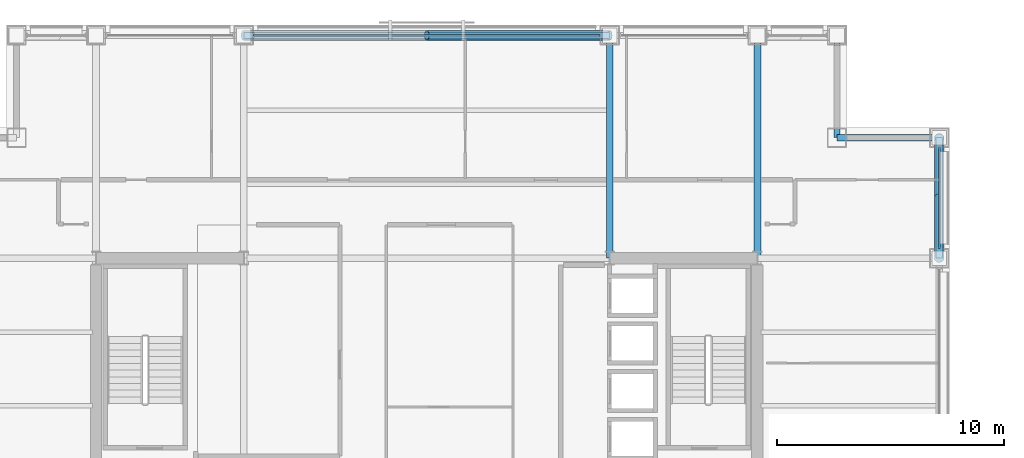
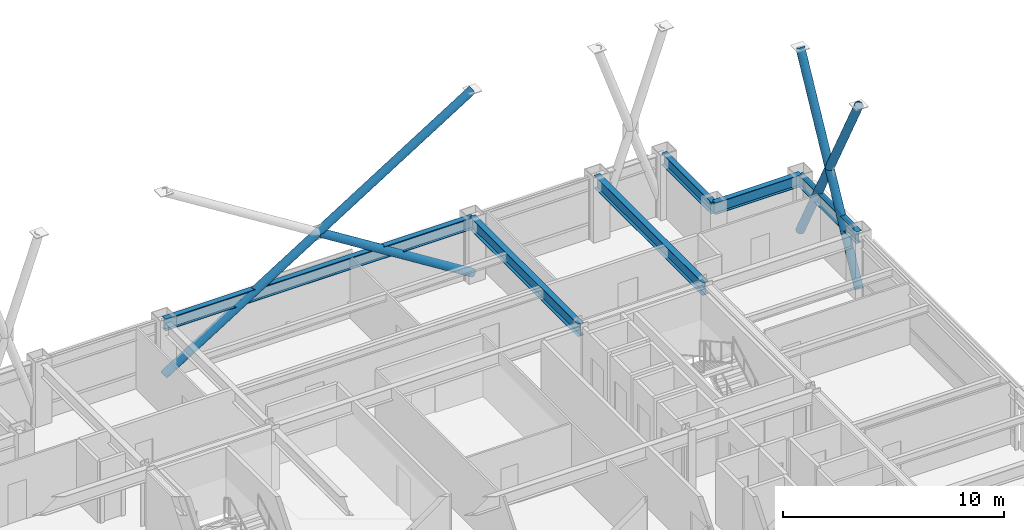
# One storey, part 21 of 32: 7 members, 6 beams, 2 elements without a shape of their own.
"""IFC4 building model written with IfcOpenShell, lengths in metres."""

from ifc_helpers import new_model, si_unit, direction, frame, origin, origin_2d, place, context, subcontext, project, spatial, hollow_rectangle, hollow_circle, i_section, extrude, material, layer, layer_set, material_profile, profile_set, type_object, element, aggregate, save


model = new_model("IFC4")

# Units and contexts
model_context = context("Model", 3, precision=1e-05, world=origin(), true_north=direction((0.0, 1.0)))
body_context = subcontext(model_context, "Body", "Model", "MODEL_VIEW")
ifc_project = project(units=[si_unit("LENGTHUNIT", "METRE"), si_unit("AREAUNIT", "SQUARE_METRE"), si_unit("VOLUMEUNIT", "CUBIC_METRE"), si_unit("PLANEANGLEUNIT", "RADIAN"), si_unit("MASSUNIT", "GRAM", prefix="KILO")], contexts=[model_context])

# Site, building, storey
site_placement = place(None, origin())
site = spatial("IfcSite", under=ifc_project, at=site_placement, CompositionType="ELEMENT")
building_placement = place(site_placement, origin())
building = spatial("IfcBuilding", under=site, at=building_placement, Name="Brelmoor Portico Tower", CompositionType="ELEMENT")
storey_placement = place(building_placement, frame((0.0, 0.0, 109.800048828125)))
storey = spatial("IfcBuildingStorey", under=building, at=storey_placement, Name="L28", CompositionType="ELEMENT", Elevation=109.800048828125)

# Beams
ifc_material_1 = material(Name="Steel Q355B", Category="steel")
ifc_material_profile_1 = material_profile(ifc_material_1, i_section(OverallWidth=0.300048828125, OverallDepth=0.699951171875, WebThickness=0.012939453125, FlangeThickness=0.02392578125, at=origin_2d()), Name="HN 700x300x13x24")
ifc_profile_set_1 = profile_set([ifc_material_profile_1], Name="Steel Q355B")
beam_type_1 = type_object("IfcBeamType", Name="BM-PG-700", PredefinedType="BEAM", material=ifc_profile_set_1)
for number, where, z_axis, x_axis, name in (
    (1, (8.050048828125, 9.75, 3.050048828125), (0.0, 1.0, 0.0), (-1.0, 0.0, 0.0), "L28 Primary Floor Girder PG-09"),
    (2, (14.550048828125, 9.75, 3.050048828125), (0.0, 1.0, 0.0), (-1.0, 0.0, 0.0), "L28 Primary Floor Girder PG-13"),
):
    element("IfcBeam", number, at=place(storey_placement, frame(where, z_axis=z_axis, x_axis=x_axis)), inside=storey, type_object=beam_type_1, Name=name, PredefinedType="BEAM", context=body_context, shape_type="SweptSolid", body=[
        extrude(i_section(OverallWidth=0.300048828125, OverallDepth=0.699951171875, WebThickness=0.012939453125, FlangeThickness=0.02392578125, at=origin_2d()), origin(), (0.0, 0.0, 1.0), 9.800048828125),
    ])
ifc_material_profile_2 = material_profile(ifc_material_1, i_section(OverallWidth=0.280029296875, OverallDepth=0.64990234375, WebThickness=0.012939453125, FlangeThickness=0.02197265625, at=origin_2d()), Name="HN 650x280x13x22")
ifc_profile_set_2 = profile_set([ifc_material_profile_2], Name="Steel Q355B")
beam_type_2 = type_object("IfcBeamType", Name="BM-SP-650", PredefinedType="SPANDREL", material=ifc_profile_set_2)
beam_1_placement = place(storey_placement, frame((18.050048828125, 15.050048828125, 3.074951171875), z_axis=(1.0, 0.0, 0.0), x_axis=(0.0, 1.0, 0.0)))
element("IfcBeam", 3, at=beam_1_placement, inside=storey, type_object=beam_type_2, Name="L28 Perimeter Spandrel Beam SP-09", PredefinedType="SPANDREL", context=body_context, shape_type="SweptSolid", body=[
    extrude(i_section(OverallWidth=0.280029296875, OverallDepth=0.64990234375, WebThickness=0.012939453125, FlangeThickness=0.02197265625, at=origin_2d()), origin(), (0.0, 0.0, 1.0), 4.5),
])
beam_2_placement = place(storey_placement, frame((-8.050048828125, 19.550048828125, 3.074951171875), z_axis=(1.0, 0.0, 0.0), x_axis=(0.0, 1.0, 0.0)))
element("IfcBeam", 4, at=beam_2_placement, inside=storey, type_object=beam_type_2, Name="L28 Perimeter Spandrel Beam SP-12", PredefinedType="SPANDREL", context=body_context, shape_type="SweptSolid", body=[
    extrude(i_section(OverallWidth=0.280029296875, OverallDepth=0.64990234375, WebThickness=0.012939453125, FlangeThickness=0.02197265625, at=origin_2d()), origin(), (0.0, 0.0, 1.0), 16.10009765625),
])
beam_3_placement = place(storey_placement, frame((18.050048828125, 15.050048828125, 3.074951171875), z_axis=(0.0, 1.0, 0.0), x_axis=(-1.0, 0.0, 0.0)))
element("IfcBeam", 5, at=beam_3_placement, inside=storey, type_object=beam_type_2, Name="L28 Perimeter Spandrel Beam SP-21", PredefinedType="SPANDREL", context=body_context, shape_type="SweptSolid", body=[
    extrude(i_section(OverallWidth=0.280029296875, OverallDepth=0.64990234375, WebThickness=0.012939453125, FlangeThickness=0.02197265625, at=origin_2d()), origin(), (0.0, 0.0, 1.0), 4.5),
])
beam_4_placement = place(storey_placement, frame((22.550048828125, 9.75, 3.074951171875), z_axis=(0.0, 1.0, 0.0), x_axis=(-1.0, 0.0, 0.0)))
element("IfcBeam", 6, at=beam_4_placement, inside=storey, type_object=beam_type_2, Name="L28 Perimeter Spandrel Beam SP-24", PredefinedType="SPANDREL", context=body_context, shape_type="SweptSolid", body=[
    extrude(i_section(OverallWidth=0.280029296875, OverallDepth=0.64990234375, WebThickness=0.012939453125, FlangeThickness=0.02197265625, at=origin_2d()), origin(), (0.0, 0.0, 1.0), 5.300048828125),
])

# Members
ifc_material_profile_3 = material_profile(ifc_material_1, hollow_circle(Radius=0.212890625, WallThickness=0.02001953125, at=origin_2d()), Name="CHS 426x20")
ifc_profile_set_3 = profile_set([ifc_material_profile_3], Name="Steel Q355B")
member_type_1 = type_object("IfcMemberType", Name="MB-BELT-DIAG1", PredefinedType="BRACE", material=ifc_profile_set_3)
member_1_placement = place(storey_placement, frame((-8.050048828125, 19.550048828125, 0.25), z_axis=(0.847115258736, 0.0, 0.531409200538), x_axis=(0.0, 1.0, 0.0)))
element("IfcMember", 7, at=member_1_placement, inside=storey, type_object=member_type_1, Name="L28 Continuous Mega-X Brace 059A", PredefinedType="BRACE", context=body_context, shape_type="SweptSolid", body=[
    extrude(hollow_circle(Radius=0.212890625, WallThickness=0.02001953125, at=origin_2d()), origin(), (0.0, 0.0, 1.0), 19.005859375),
])
member_2_placement = place(storey_placement, frame((8.050048828125, 19.550048828125, 0.25), z_axis=(-0.847109476093, 0.0, 0.531418418493), x_axis=(0.0, -1.0, 0.0)))
element("IfcMember", 8, at=member_2_placement, inside=storey, type_object=member_type_1, Name="L28 Split Mega-X Brace 059B1", PredefinedType="BRACE", context=body_context, shape_type="SweptSolid", body=[
    extrude(hollow_circle(Radius=0.212890625, WallThickness=0.02001953125, at=origin_2d()), origin(), (0.0, 0.0, 1.0), 9.5029296875),
])
member_3_placement = place(storey_placement, frame((22.550048828125, 9.75, 0.25), z_axis=(0.0, 0.464670709165, 0.885483558314), x_axis=(-1.0, 0.0, 0.0)))
element("IfcMember", 9, at=member_3_placement, inside=storey, type_object=member_type_1, Name="L28 Continuous Mega-X Brace 063A", PredefinedType="BRACE", context=body_context, shape_type="SweptSolid", body=[
    extrude(hollow_circle(Radius=0.212890625, WallThickness=0.02001953125, at=origin_2d()), origin(), (0.0, 0.0, 1.0), 11.406005859375),
])
member_4_placement = place(storey_placement, frame((22.550048828125, 15.050048828125, 0.25), z_axis=(0.0, -0.464678684729, 0.885479372972), x_axis=(1.0, 0.0, 0.0)))
element("IfcMember", 10, at=member_4_placement, inside=storey, type_object=member_type_1, Name="L28 Split Mega-X Brace 063B1", PredefinedType="BRACE", context=body_context, shape_type="SweptSolid", body=[
    extrude(hollow_circle(Radius=0.212890625, WallThickness=0.02001953125, at=origin_2d()), origin(), (0.0, 0.0, 1.0), 5.703125),
])
member_5_placement = place(storey_placement, frame((22.550048828125, 12.39990234375, 5.300048828125), z_axis=(0.0, -0.464662733102, 0.885487743826), x_axis=(1.0, 0.0, 0.0)))
element("IfcMember", 11, at=member_5_placement, inside=storey, type_object=member_type_1, Name="L28 Split Mega-X Brace 063B2", PredefinedType="BRACE", context=body_context, shape_type="SweptSolid", body=[
    extrude(hollow_circle(Radius=0.212890625, WallThickness=0.02001953125, at=origin_2d()), origin(), (0.0, 0.0, 1.0), 5.702880859375),
])

# Curtain wall, member
ifc_material_2 = material(Name="Anodised Aluminium Alloy 6063-T6", Category="aluminium")
ifc_layer = layer(ifc_material_2, 0.179931640625)
ifc_layer_set = layer_set([ifc_layer], Name="Anodised Aluminium Alloy 6063-T6")
curtain_wall_type = type_object("IfcCurtainWallType", Name="CW-TOWER-Z2-XB", PredefinedType="NOTDEFINED", material=ifc_layer_set)
curtain_wall_1_placement = place(storey_placement, origin())
curtain_wall_1 = element("IfcCurtainWall", 12, at=curtain_wall_1_placement, inside=storey, type_object=curtain_wall_type, Name="L28 Curtain Wall CW-L28-02-3", PredefinedType="NOTDEFINED")
ifc_material_profile_4 = material_profile(ifc_material_2, hollow_rectangle(XDim=0.06494140625, YDim=0.139892578125, WallThickness=0.00390625, at=origin_2d()), Name="ALU TRANSOM 65x140")
ifc_profile_set_4 = profile_set([ifc_material_profile_4], Name="Anodised Aluminium Alloy 6063-T6")
member_type_2 = type_object("IfcMemberType", Name="MB-CW-TRAN-140", PredefinedType="USERDEFINED", material=ifc_profile_set_4)
member_6_placement = place(storey_placement, frame((-7.614990234375, 19.550048828125, 3.329833984375), z_axis=(1.0, 0.0, 0.0), x_axis=(0.0, 1.0, 0.0)))
member_6 = element("IfcMember", 13, at=member_6_placement, type_object=member_type_2, Name="CW-L28-02-3 Transom 1-00", ObjectType="TRANSOM", PredefinedType="USERDEFINED", context=body_context, shape_type="SweptSolid", body=[
    extrude(hollow_rectangle(XDim=0.06494140625, YDim=0.139892578125, WallThickness=0.00390625, at=origin_2d()), origin(), (0.0, 0.0, 1.0), 15.22998046875),
])
aggregate(curtain_wall_1, [member_6])

curtain_wall_2_placement = place(storey_placement, origin())
curtain_wall_2 = element("IfcCurtainWall", 14, at=curtain_wall_2_placement, inside=storey, type_object=curtain_wall_type, Name="L28 Curtain Wall CW-L28-4R-2", PredefinedType="NOTDEFINED")
member_7_placement = place(storey_placement, frame((22.550048828125, 10.18505859375, 3.329833984375), z_axis=(0.0, 1.0, 0.0), x_axis=(-1.0, 0.0, 0.0)))
member_7 = element("IfcMember", 15, at=member_7_placement, type_object=member_type_2, Name="CW-L28-4R-2 Transom 1-00", ObjectType="TRANSOM", PredefinedType="USERDEFINED", context=body_context, shape_type="SweptSolid", body=[
    extrude(hollow_rectangle(XDim=0.06494140625, YDim=0.139892578125, WallThickness=0.00390625, at=origin_2d()), origin(), (0.0, 0.0, 1.0), 4.429931640625),
])
aggregate(curtain_wall_2, [member_7])

save(model, "model.ifc")
